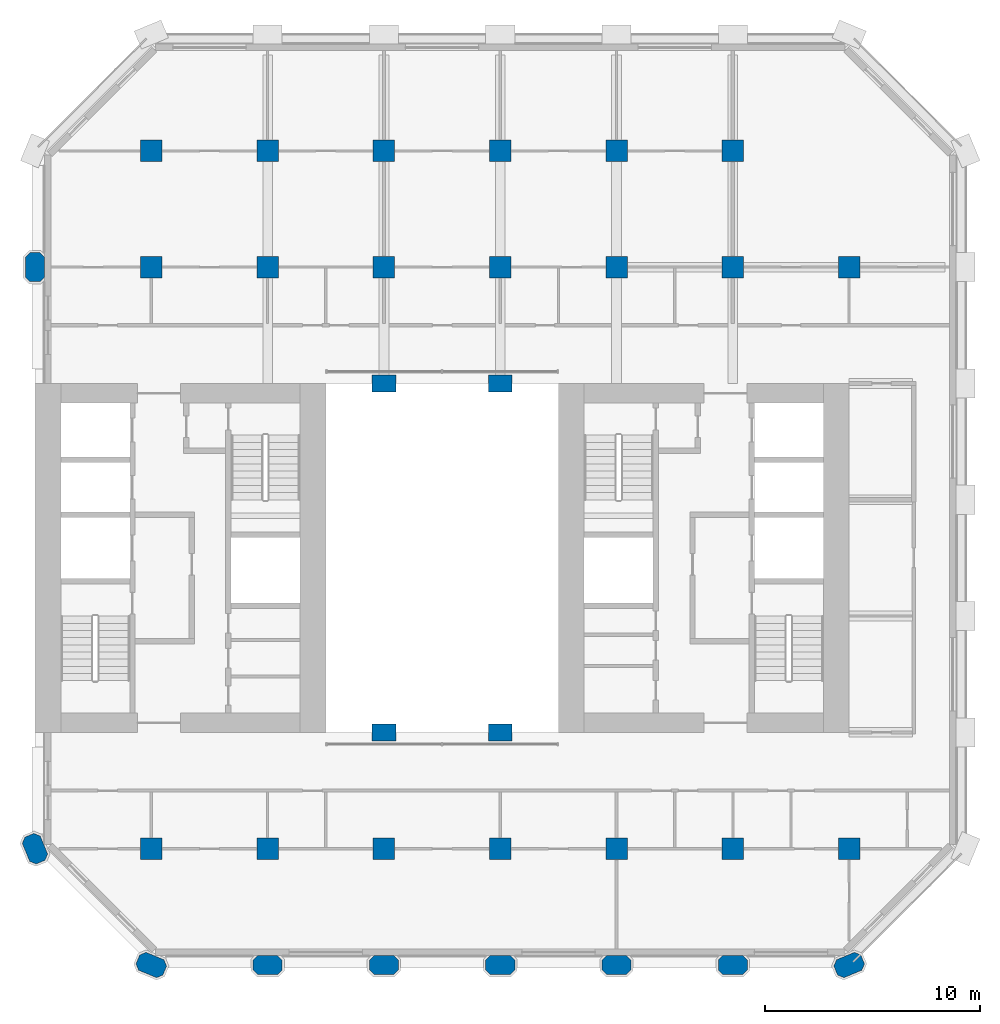
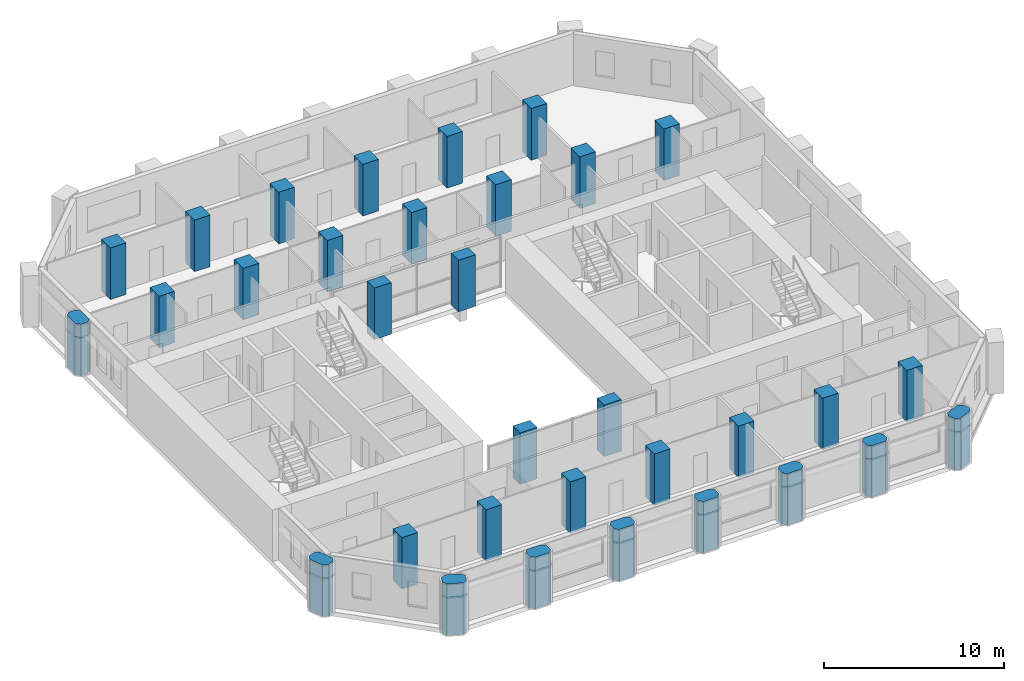
# One storey, part 1 of 11: 33 columns.
"""IFC4 building model written with IfcOpenShell, lengths in metres."""

from ifc_helpers import new_model, si_unit, direction, frame, origin, origin_2d, place, context, subcontext, project, spatial, polyline, rectangle, outline, extrude, material, material_profile, profile_set, type_object, element, save


model = new_model("IFC4")

# Units and contexts
model_context = context("Model", 3, precision=1e-05, world=origin(), true_north=direction((0.0, 1.0)))
body_context = subcontext(model_context, "Body", "Model", "MODEL_VIEW")
ifc_project = project(units=[si_unit("LENGTHUNIT", "METRE"), si_unit("AREAUNIT", "SQUARE_METRE"), si_unit("VOLUMEUNIT", "CUBIC_METRE"), si_unit("PLANEANGLEUNIT", "RADIAN"), si_unit("MASSUNIT", "GRAM", prefix="KILO")], contexts=[model_context])

# Site, building, storey
site_placement = place(None, origin())
site = spatial("IfcSite", under=ifc_project, at=site_placement, CompositionType="ELEMENT")
building_placement = place(site_placement, origin())
building = spatial("IfcBuilding", under=site, at=building_placement, Name="Tabaq Tower and Sports Hall", CompositionType="ELEMENT")
storey_placement = place(building_placement, frame((0.0, 0.0, 84.0)))
storey = spatial("IfcBuildingStorey", under=building, at=storey_placement, Name="L19", CompositionType="ELEMENT", Elevation=84.0)

# Columns
ifc_material_1 = material(Name="Concrete C60/75", Category="concrete")
ifc_material_profile_1 = material_profile(ifc_material_1, rectangle(XDim=1.10009765625, YDim=0.800048828125, at=origin_2d()), Name="ATRIUM COLUMN 1100x800")
ifc_profile_set_1 = profile_set([ifc_material_profile_1], Name="Concrete C60/75")
column_type_1 = type_object("IfcColumnType", Name="RC COLUMN ATRIUM COLUMN 1100x800 C60/75", PredefinedType="COLUMN", material=ifc_profile_set_1)
for number, where, z_axis, x_axis, name in (
    (1, (21.60009765625, 16.199951171875, 0.0), (0.0, 0.0, 1.0), (1.0, 0.0, 0.0), "Atrium Column 5/D L19"),
    (2, (27.0, 16.199951171875, 0.0), (0.0, 0.0, 1.0), (1.0, 0.0, 0.0), "Atrium Column 6/D L19"),
    (3, (21.60009765625, 32.39990234375, 0.0), (0.0, 0.0, 1.0), (1.0, 0.0, 0.0), "Atrium Column 5/G L19"),
    (4, (27.0, 32.39990234375, 0.0), (0.0, 0.0, 1.0), (1.0, 0.0, 0.0), "Atrium Column 6/G L19"),
):
    element("IfcColumn", number, at=place(storey_placement, frame(where, z_axis=z_axis, x_axis=x_axis)), inside=storey, type_object=column_type_1, Name=name, PredefinedType="COLUMN", context=body_context, shape_type="SweptSolid", body=[
        extrude(rectangle(XDim=1.10009765625, YDim=0.800048828125, at=origin_2d()), origin(), (0.0, 0.0, 1.0), 3.5),
    ])
ifc_material_2 = material(Name="Concrete C60/75", Category="concrete")
ifc_material_profile_2 = material_profile(ifc_material_2, rectangle(XDim=1.0, YDim=1.0, at=origin_2d()), Name="COLUMN 1000x1000")
ifc_profile_set_2 = profile_set([ifc_material_profile_2], Name="Concrete C60/75")
column_type_2 = type_object("IfcColumnType", Name="RC COLUMN COLUMN 1000x1000 C60/75", PredefinedType="COLUMN", material=ifc_profile_set_2)
for number, where, z_axis, x_axis, name in (
    (5, (10.800048828125, 10.800048828125, 0.0), (0.0, 0.0, 1.0), (1.0, 0.0, 0.0), "Column 3/C L19"),
    (6, (16.199951171875, 10.800048828125, 0.0), (0.0, 0.0, 1.0), (1.0, 0.0, 0.0), "Column 4/C L19"),
    (7, (21.60009765625, 10.800048828125, 0.0), (0.0, 0.0, 1.0), (1.0, 0.0, 0.0), "Column 5/C L19"),
    (8, (27.0, 10.800048828125, 0.0), (0.0, 0.0, 1.0), (1.0, 0.0, 0.0), "Column 6/C L19"),
    (9, (32.39990234375, 10.800048828125, 0.0), (0.0, 0.0, 1.0), (1.0, 0.0, 0.0), "Column 7/C L19"),
    (10, (37.800048828125, 10.800048828125, 0.0), (0.0, 0.0, 1.0), (1.0, 0.0, 0.0), "Column 8/C L19"),
    (11, (43.199951171875, 10.800048828125, 0.0), (0.0, 0.0, 1.0), (1.0, 0.0, 0.0), "Column 9/C L19"),
    (12, (10.800048828125, 37.800048828125, 0.0), (0.0, 0.0, 1.0), (1.0, 0.0, 0.0), "Column 3/H L19"),
    (13, (16.199951171875, 37.800048828125, 0.0), (0.0, 0.0, 1.0), (1.0, 0.0, 0.0), "Column 4/H L19"),
    (14, (21.60009765625, 37.800048828125, 0.0), (0.0, 0.0, 1.0), (1.0, 0.0, 0.0), "Column 5/H L19"),
    (15, (27.0, 37.800048828125, 0.0), (0.0, 0.0, 1.0), (1.0, 0.0, 0.0), "Column 6/H L19"),
    (16, (32.39990234375, 37.800048828125, 0.0), (0.0, 0.0, 1.0), (1.0, 0.0, 0.0), "Column 7/H L19"),
    (17, (37.800048828125, 37.800048828125, 0.0), (0.0, 0.0, 1.0), (1.0, 0.0, 0.0), "Column 8/H L19"),
    (18, (43.199951171875, 37.800048828125, 0.0), (0.0, 0.0, 1.0), (1.0, 0.0, 0.0), "Column 9/H L19"),
    (19, (10.800048828125, 43.199951171875, 0.0), (0.0, 0.0, 1.0), (1.0, 0.0, 0.0), "Column 3/I L19"),
    (20, (16.199951171875, 43.199951171875, 0.0), (0.0, 0.0, 1.0), (1.0, 0.0, 0.0), "Column 4/I L19"),
    (21, (21.60009765625, 43.199951171875, 0.0), (0.0, 0.0, 1.0), (1.0, 0.0, 0.0), "Column 5/I L19"),
    (22, (27.0, 43.199951171875, 0.0), (0.0, 0.0, 1.0), (1.0, 0.0, 0.0), "Column 6/I L19"),
    (23, (32.39990234375, 43.199951171875, 0.0), (0.0, 0.0, 1.0), (1.0, 0.0, 0.0), "Column 7/I L19"),
    (24, (37.800048828125, 43.199951171875, 0.0), (0.0, 0.0, 1.0), (1.0, 0.0, 0.0), "Column 8/I L19"),
):
    element("IfcColumn", number, at=place(storey_placement, frame(where, z_axis=z_axis, x_axis=x_axis)), inside=storey, type_object=column_type_2, Name=name, PredefinedType="COLUMN", context=body_context, shape_type="SweptSolid", body=[
        extrude(rectangle(XDim=1.0, YDim=1.0, at=origin_2d()), origin(), (0.0, 0.0, 1.0), 3.5),
    ])
ifc_material_3 = material(Name="Concrete C60/75", Category="concrete")
ifc_material_profile_3 = material_profile(ifc_material_3, outline(polyline([(-0.449951171875, -0.449951171875), (0.449951171875, -0.449951171875), (0.675048828125, -0.22509765625), (0.675048828125, 0.22509765625), (0.449951171875, 0.449951171875), (-0.449951171875, 0.449951171875), (-0.675048828125, 0.22509765625), (-0.675048828125, -0.22509765625), (-0.449951171875, -0.449951171875)])), Name="PIER 1350x900")
ifc_profile_set_3 = profile_set([ifc_material_profile_3], Name="Concrete C60/75")
column_type_3 = type_object("IfcColumnType", Name="RC COLUMN PIER 1350x900 C60/75", PredefinedType="COLUMN", material=ifc_profile_set_3)
for number, where, z_axis, x_axis, name in (
    (25, (10.800048828125, 5.39990234375, 0.0), (0.0, 0.0, 1.0), (-0.923879532511, 0.382683432365, 0.0), "Pier 3/B L19"),
    (26, (16.199951171875, 5.39990234375, 0.0), (0.0, 0.0, 1.0), (1.0, 0.0, 0.0), "Pier 4/B L19"),
    (27, (21.60009765625, 5.39990234375, 0.0), (0.0, 0.0, 1.0), (1.0, 0.0, 0.0), "Pier 5/B L19"),
    (28, (27.0, 5.39990234375, 0.0), (0.0, 0.0, 1.0), (1.0, 0.0, 0.0), "Pier 6/B L19"),
    (29, (32.39990234375, 5.39990234375, 0.0), (0.0, 0.0, 1.0), (1.0, 0.0, 0.0), "Pier 7/B L19"),
    (30, (37.800048828125, 5.39990234375, 0.0), (0.0, 0.0, 1.0), (1.0, 0.0, 0.0), "Pier 8/B L19"),
    (31, (43.199951171875, 5.39990234375, 0.0), (0.0, 0.0, 1.0), (0.923879532511, 0.382683432365, 0.0), "Pier 9/B L19"),
    (32, (5.39990234375, 10.800048828125, 0.0), (0.0, 0.0, 1.0), (-0.382683432365, 0.923879532511, 0.0), "Pier 2/C L19"),
    (33, (5.39990234375, 37.800048828125, 0.0), (0.0, 0.0, 1.0), (0.0, 1.0, 0.0), "Pier 2/H L19"),
):
    element("IfcColumn", number, at=place(storey_placement, frame(where, z_axis=z_axis, x_axis=x_axis)), inside=storey, type_object=column_type_3, Name=name, PredefinedType="COLUMN", context=body_context, shape_type="SweptSolid", body=[
        extrude(outline(polyline([(-0.449951171875, -0.449951171875), (0.449951171875, -0.449951171875), (0.675048828125, -0.22509765625), (0.675048828125, 0.22509765625), (0.449951171875, 0.449951171875), (-0.449951171875, 0.449951171875), (-0.675048828125, 0.22509765625), (-0.675048828125, -0.22509765625), (-0.449951171875, -0.449951171875)])), origin(), (0.0, 0.0, 1.0), 3.5),
    ])

save(model, "model.ifc")
